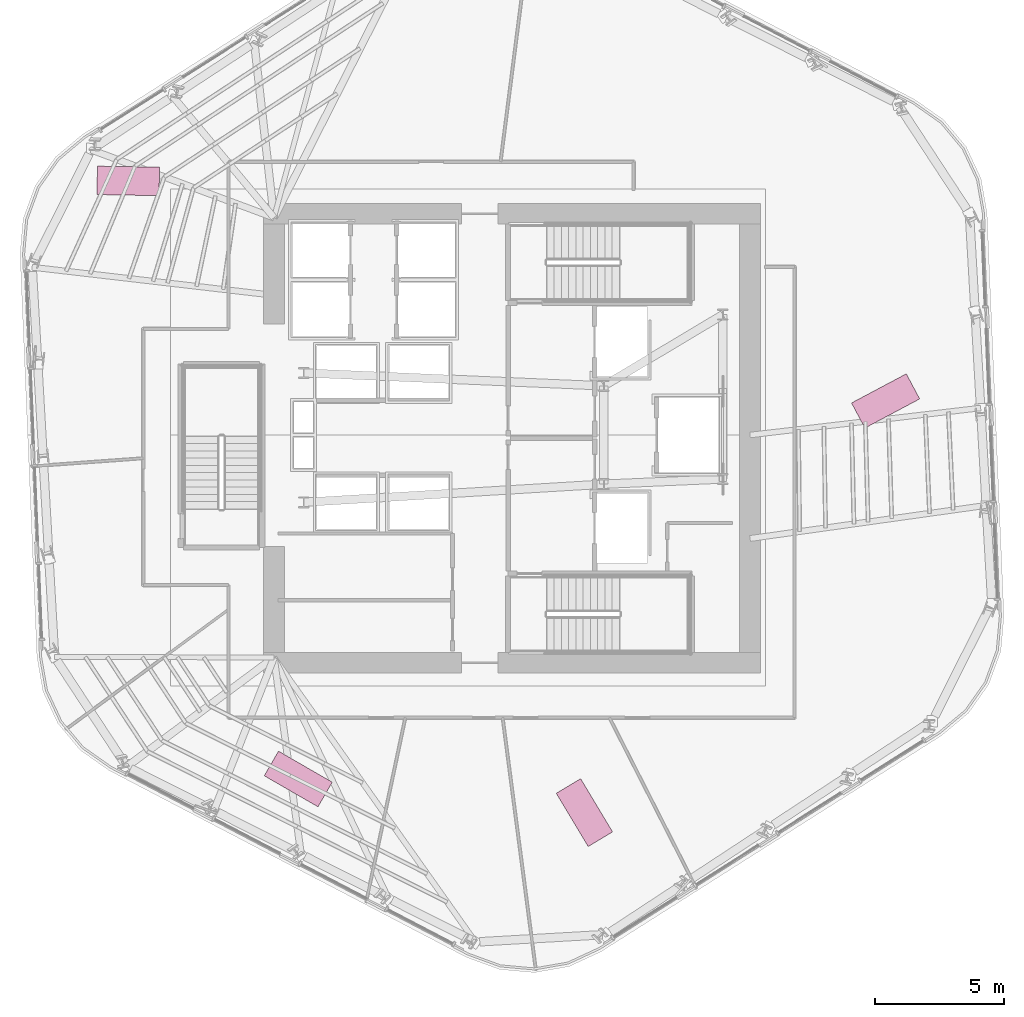
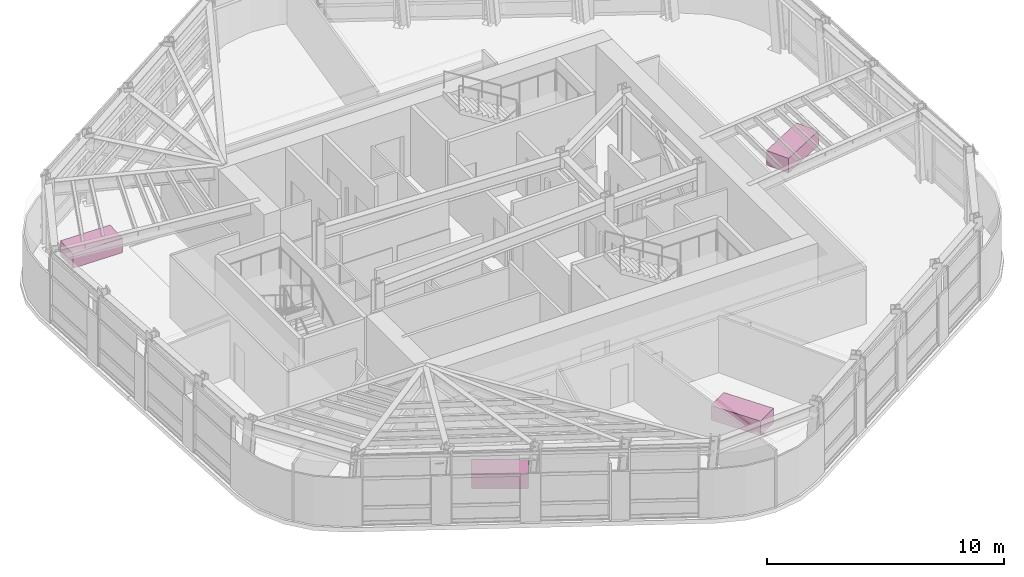
# One storey, part 15 of 15: 4 furniture elements.
"""IFC4 building model written with IfcOpenShell, lengths in metres."""

from ifc_helpers import new_model, si_unit, direction, frame, origin, origin_2d, place, context, subcontext, project, spatial, rectangle, extrude, material, type_object, element, save


model = new_model("IFC4")

# Units and contexts
model_context = context("Model", 3, precision=1e-05, world=origin(), true_north=direction((0.0, 1.0)))
body_context = subcontext(model_context, "Body", "Model", "MODEL_VIEW")
ifc_project = project(units=[si_unit("LENGTHUNIT", "METRE"), si_unit("AREAUNIT", "SQUARE_METRE"), si_unit("VOLUMEUNIT", "CUBIC_METRE"), si_unit("PLANEANGLEUNIT", "RADIAN"), si_unit("MASSUNIT", "GRAM", prefix="KILO")], contexts=[model_context])

# Site, building, storey
site_placement = place(None, origin())
site = spatial("IfcSite", under=ifc_project, at=site_placement, CompositionType="ELEMENT")
building_placement = place(site_placement, origin())
building = spatial("IfcBuilding", under=site, at=building_placement, Name="Valkerne Bourse Tower", CompositionType="ELEMENT")
storey_placement = place(building_placement, frame((0.0, 0.0, 162.800048828125)))
storey = spatial("IfcBuildingStorey", under=building, at=storey_placement, Name="L41", CompositionType="ELEMENT", Elevation=162.800048828125)

# Furniture
ifc_material = material(Name="Architectural White Oak Timber", Category="wood")
furniture_type = type_object("IfcFurnitureType", Name="FURN-DESK-2400", AssemblyPlace="NOTDEFINED", PredefinedType="DESK", material=ifc_material)
for number, where, z_axis, x_axis, name in (
    (1, (49.59912109375, 12.406005859375, 0.044921875), (0.0, 0.0, 1.0), (-0.51503807491, 0.857167300702, 0.0), "L41 Suite Worktable 06"),
    (2, (38.5380859375, 13.705078125, 0.044921875), (0.0, 0.0, 1.0), (-0.866025403784, 0.5, 0.0), "L41 Suite Worktable 07"),
    (3, (31.967041015625, 36.822021484375, 0.044921875), (0.0, 0.0, 1.0), (-0.999847695156, 0.017452406437, 0.0), "L41 Suite Worktable 08"),
    (4, (61.239990234375, 28.31689453125, 0.044921875), (0.0, 0.0, 1.0), (0.882947592859, 0.469471562786, 0.0), "L41 Suite Worktable 09"),
):
    element("IfcFurniture", number, at=place(storey_placement, frame(where, z_axis=z_axis, x_axis=x_axis)), inside=storey, type_object=furniture_type, Name=name, PredefinedType="DESK", context=body_context, shape_type="SweptSolid", body=[
        extrude(rectangle(XDim=2.39990234375, YDim=1.10009765625, at=origin_2d()), origin(), (0.0, 0.0, 1.0), 0.75),
    ])

save(model, "model.ifc")
